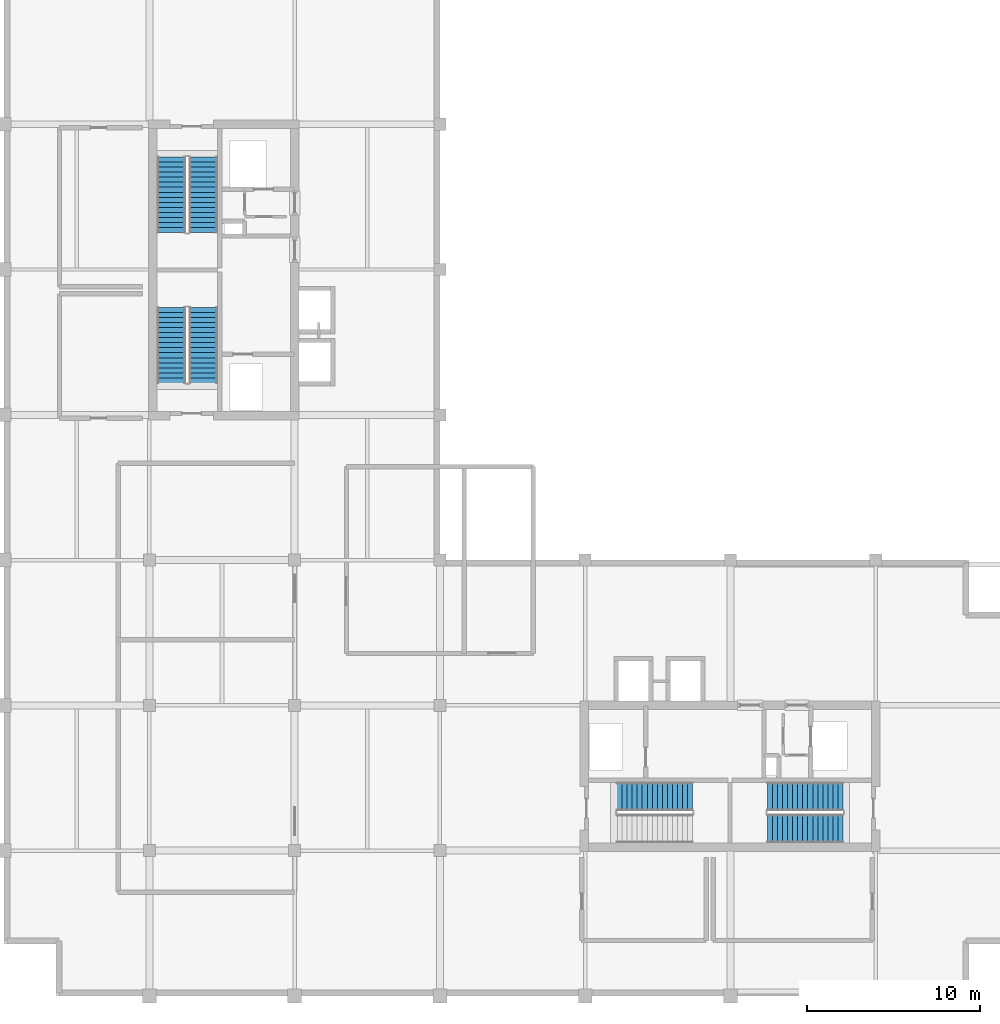
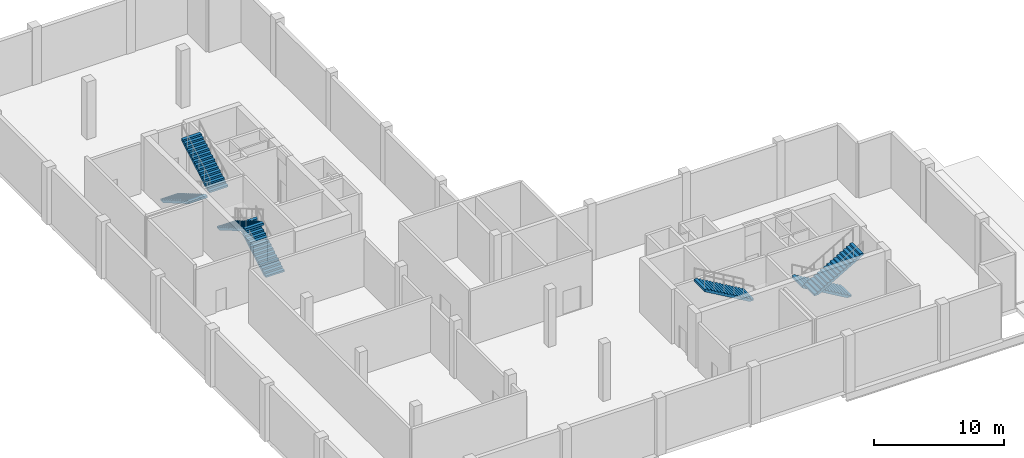
# One storey, part 5 of 7: 7 stair flights, 4 elements without a shape of their own.
"""IFC4 building model written with IfcOpenShell, lengths in metres."""

from ifc_helpers import new_model, si_unit, direction, frame, origin, place, context, subcontext, project, spatial, polyline, outline, extrude, material, type_object, element, aggregate, save


model = new_model("IFC4")

# Units and contexts
model_context = context("Model", 3, precision=1e-05, world=origin(), true_north=direction((0.0, 1.0)))
body_context = subcontext(model_context, "Body", "Model", "MODEL_VIEW")
ifc_project = project(units=[si_unit("LENGTHUNIT", "METRE"), si_unit("AREAUNIT", "SQUARE_METRE"), si_unit("VOLUMEUNIT", "CUBIC_METRE"), si_unit("PLANEANGLEUNIT", "RADIAN"), si_unit("MASSUNIT", "GRAM", prefix="KILO")], contexts=[model_context])

# Site, building, storey
site_placement = place(None, origin())
site = spatial("IfcSite", under=ifc_project, at=site_placement, CompositionType="ELEMENT")
building_placement = place(site_placement, origin())
building = spatial("IfcBuilding", under=site, at=building_placement, Name="Koriwani Terraces Tower", CompositionType="ELEMENT")
storey_placement = place(building_placement, frame((0.0, 0.0, 368.60009765625)))
storey = spatial("IfcBuildingStorey", under=building, at=storey_placement, Name="L91", CompositionType="ELEMENT", Elevation=368.60009765625)

# Stair, stair flights
ifc_material = material(Name="Concrete C40/50", Category="concrete")
stair_type = type_object("IfcStairType", Name="STAIR_CORE_DOGLEG_1650", PredefinedType="TWO_STRAIGHT_RUN_STAIR", material=ifc_material)
stair_1_placement = place(storey_placement, origin())
stair_1 = element("IfcStair", 1, at=stair_1_placement, inside=storey, type_object=stair_type, Name="L91 West Core Exit Stair 1", PredefinedType="HALF_TURN_STAIR")
stair_flight_type = type_object("IfcStairFlightType", Name="STAIR_FLIGHT_RC_1650", PredefinedType="STRAIGHT", material=ifc_material)
stair_flight_1_placement = place(storey_placement, frame((19.925048828125, 43.85009765625, 0.0), z_axis=(0.0, 0.0, 1.0), x_axis=(0.0, 1.0, 0.0)))
stair_flight_1 = element("IfcStairFlight", 2, at=stair_flight_1_placement, type_object=stair_flight_type, Name="ST-W1 flight 1", NumberOfRisers=16, NumberOfTreads=15, PredefinedType="STRAIGHT", RiserHeight=0.16875, TreadLength=0.29, context=body_context, shape_type="SweptSolid", body=[
    extrude(outline(polyline([(0.0, 0.0), (0.0, 0.168701171875), (0.2900390625, 0.168701171875), (0.2900390625, 0.33740234375), (0.580078125, 0.33740234375), (0.580078125, 0.50634765625), (0.8701171875, 0.50634765625), (0.8701171875, 0.675048828125), (1.159912109375, 0.675048828125), (1.159912109375, 0.84375), (1.449951171875, 0.84375), (1.449951171875, 1.012451171875), (1.739990234375, 1.012451171875), (1.739990234375, 1.18115234375), (2.030029296875, 1.18115234375), (2.030029296875, 1.35009765625), (2.320068359375, 1.35009765625), (2.320068359375, 1.518798828125), (2.610107421875, 1.518798828125), (2.610107421875, 1.6875), (2.89990234375, 1.6875), (2.89990234375, 1.856201171875), (3.18994140625, 1.856201171875), (3.18994140625, 2.02490234375), (3.47998046875, 2.02490234375), (3.47998046875, 2.19384765625), (3.77001953125, 2.19384765625), (3.77001953125, 2.362548828125), (4.06005859375, 2.362548828125), (4.06005859375, 2.53125), (4.35009765625, 2.53125), (4.35009765625, 2.699951171875), (4.35009765625, 2.322998046875), (0.357666015625, 0.0), (0.0, 0.0)])), frame((0.0, 0.824951171875, 0.0), z_axis=(0.0, -1.0, 0.0), x_axis=(1.0, 0.0, 0.0)), (0.0, 0.0, 1.0), 1.64990234375),
])
stair_flight_2_placement = place(storey_placement, frame((18.074951171875, 48.199951171875, 2.699951171875), z_axis=(0.0, 0.0, 1.0), x_axis=(0.0, -1.0, 0.0)))
stair_flight_2 = element("IfcStairFlight", 3, at=stair_flight_2_placement, type_object=stair_flight_type, Name="ST-W1 flight 2", NumberOfRisers=16, NumberOfTreads=15, PredefinedType="STRAIGHT", RiserHeight=0.16875, TreadLength=0.29, context=body_context, shape_type="SweptSolid", body=[
    extrude(outline(polyline([(0.0, 0.0), (0.0, 0.168701171875), (0.2900390625, 0.168701171875), (0.2900390625, 0.33740234375), (0.580078125, 0.33740234375), (0.580078125, 0.50634765625), (0.8701171875, 0.50634765625), (0.8701171875, 0.675048828125), (1.159912109375, 0.675048828125), (1.159912109375, 0.84375), (1.449951171875, 0.84375), (1.449951171875, 1.012451171875), (1.739990234375, 1.012451171875), (1.739990234375, 1.18115234375), (2.030029296875, 1.18115234375), (2.030029296875, 1.35009765625), (2.320068359375, 1.35009765625), (2.320068359375, 1.518798828125), (2.610107421875, 1.518798828125), (2.610107421875, 1.6875), (2.89990234375, 1.6875), (2.89990234375, 1.856201171875), (3.18994140625, 1.856201171875), (3.18994140625, 2.02490234375), (3.47998046875, 2.02490234375), (3.47998046875, 2.19384765625), (3.77001953125, 2.19384765625), (3.77001953125, 2.362548828125), (4.06005859375, 2.362548828125), (4.06005859375, 2.53125), (4.35009765625, 2.53125), (4.35009765625, 2.699951171875), (4.35009765625, 2.322998046875), (0.357666015625, 0.0), (0.0, 0.0)])), frame((0.0, 0.824951171875, 0.0), z_axis=(0.0, -1.0, 0.0), x_axis=(1.0, 0.0, 0.0)), (0.0, 0.0, 1.0), 1.64990234375),
])
aggregate(stair_1, [stair_flight_1, stair_flight_2])

stair_2_placement = place(storey_placement, origin())
stair_2 = element("IfcStair", 4, at=stair_2_placement, inside=storey, type_object=stair_type, Name="L91 West Core Exit Stair 2", PredefinedType="HALF_TURN_STAIR")
stair_flight_3_placement = place(storey_placement, frame((18.074951171875, 56.89990234375, 0.0), z_axis=(0.0, 0.0, 1.0), x_axis=(0.0, -1.0, 0.0)))
stair_flight_3 = element("IfcStairFlight", 5, at=stair_flight_3_placement, type_object=stair_flight_type, Name="ST-W2 flight 1", NumberOfRisers=16, NumberOfTreads=15, PredefinedType="STRAIGHT", RiserHeight=0.16875, TreadLength=0.29, context=body_context, shape_type="SweptSolid", body=[
    extrude(outline(polyline([(0.0, 0.0), (0.0, 0.168701171875), (0.2900390625, 0.168701171875), (0.2900390625, 0.33740234375), (0.580078125, 0.33740234375), (0.580078125, 0.50634765625), (0.8701171875, 0.50634765625), (0.8701171875, 0.675048828125), (1.159912109375, 0.675048828125), (1.159912109375, 0.84375), (1.449951171875, 0.84375), (1.449951171875, 1.012451171875), (1.739990234375, 1.012451171875), (1.739990234375, 1.18115234375), (2.030029296875, 1.18115234375), (2.030029296875, 1.35009765625), (2.320068359375, 1.35009765625), (2.320068359375, 1.518798828125), (2.610107421875, 1.518798828125), (2.610107421875, 1.6875), (2.89990234375, 1.6875), (2.89990234375, 1.856201171875), (3.18994140625, 1.856201171875), (3.18994140625, 2.02490234375), (3.47998046875, 2.02490234375), (3.47998046875, 2.19384765625), (3.77001953125, 2.19384765625), (3.77001953125, 2.362548828125), (4.06005859375, 2.362548828125), (4.06005859375, 2.53125), (4.35009765625, 2.53125), (4.35009765625, 2.699951171875), (4.35009765625, 2.322998046875), (0.357666015625, 0.0), (0.0, 0.0)])), frame((0.0, 0.824951171875, 0.0), z_axis=(0.0, -1.0, 0.0), x_axis=(1.0, 0.0, 0.0)), (0.0, 0.0, 1.0), 1.64990234375),
])
stair_flight_4_placement = place(storey_placement, frame((19.925048828125, 52.550048828125, 2.699951171875), z_axis=(0.0, 0.0, 1.0), x_axis=(0.0, 1.0, 0.0)))
stair_flight_4 = element("IfcStairFlight", 6, at=stair_flight_4_placement, type_object=stair_flight_type, Name="ST-W2 flight 2", NumberOfRisers=16, NumberOfTreads=15, PredefinedType="STRAIGHT", RiserHeight=0.16875, TreadLength=0.29, context=body_context, shape_type="SweptSolid", body=[
    extrude(outline(polyline([(0.0, 0.0), (0.0, 0.168701171875), (0.2900390625, 0.168701171875), (0.2900390625, 0.33740234375), (0.580078125, 0.33740234375), (0.580078125, 0.50634765625), (0.8701171875, 0.50634765625), (0.8701171875, 0.675048828125), (1.159912109375, 0.675048828125), (1.159912109375, 0.84375), (1.449951171875, 0.84375), (1.449951171875, 1.012451171875), (1.739990234375, 1.012451171875), (1.739990234375, 1.18115234375), (2.030029296875, 1.18115234375), (2.030029296875, 1.35009765625), (2.320068359375, 1.35009765625), (2.320068359375, 1.518798828125), (2.610107421875, 1.518798828125), (2.610107421875, 1.6875), (2.89990234375, 1.6875), (2.89990234375, 1.856201171875), (3.18994140625, 1.856201171875), (3.18994140625, 2.02490234375), (3.47998046875, 2.02490234375), (3.47998046875, 2.19384765625), (3.77001953125, 2.19384765625), (3.77001953125, 2.362548828125), (4.06005859375, 2.362548828125), (4.06005859375, 2.53125), (4.35009765625, 2.53125), (4.35009765625, 2.699951171875), (4.35009765625, 2.322998046875), (0.357666015625, 0.0), (0.0, 0.0)])), frame((0.0, 0.824951171875, 0.0), z_axis=(0.0, -1.0, 0.0), x_axis=(1.0, 0.0, 0.0)), (0.0, 0.0, 1.0), 1.64990234375),
])
aggregate(stair_2, [stair_flight_3, stair_flight_4])

# Stair, stair flight
stair_3_placement = place(storey_placement, origin())
stair_3 = element("IfcStair", 7, at=stair_3_placement, inside=storey, type_object=stair_type, Name="L91 East Core Exit Stair 1", PredefinedType="HALF_TURN_STAIR")
stair_flight_5_placement = place(storey_placement, frame((48.199951171875, 19.925048828125, 2.699951171875), z_axis=(0.0, 0.0, 1.0), x_axis=(-1.0, 0.0, 0.0)))
stair_flight_5 = element("IfcStairFlight", 8, at=stair_flight_5_placement, type_object=stair_flight_type, Name="ST-E1 flight 2", NumberOfRisers=16, NumberOfTreads=15, PredefinedType="STRAIGHT", RiserHeight=0.16875, TreadLength=0.29, context=body_context, shape_type="SweptSolid", body=[
    extrude(outline(polyline([(0.0, 0.0), (0.0, 0.168701171875), (0.2900390625, 0.168701171875), (0.2900390625, 0.33740234375), (0.580078125, 0.33740234375), (0.580078125, 0.50634765625), (0.8701171875, 0.50634765625), (0.8701171875, 0.675048828125), (1.159912109375, 0.675048828125), (1.159912109375, 0.84375), (1.449951171875, 0.84375), (1.449951171875, 1.012451171875), (1.739990234375, 1.012451171875), (1.739990234375, 1.18115234375), (2.030029296875, 1.18115234375), (2.030029296875, 1.35009765625), (2.320068359375, 1.35009765625), (2.320068359375, 1.518798828125), (2.610107421875, 1.518798828125), (2.610107421875, 1.6875), (2.89990234375, 1.6875), (2.89990234375, 1.856201171875), (3.18994140625, 1.856201171875), (3.18994140625, 2.02490234375), (3.47998046875, 2.02490234375), (3.47998046875, 2.19384765625), (3.77001953125, 2.19384765625), (3.77001953125, 2.362548828125), (4.06005859375, 2.362548828125), (4.06005859375, 2.53125), (4.35009765625, 2.53125), (4.35009765625, 2.699951171875), (4.35009765625, 2.322998046875), (0.357666015625, 0.0), (0.0, 0.0)])), frame((0.0, 0.824951171875, 0.0), z_axis=(0.0, -1.0, 0.0), x_axis=(1.0, 0.0, 0.0)), (0.0, 0.0, 1.0), 1.64990234375),
])
aggregate(stair_3, [stair_flight_5])

# Stair, stair flights
stair_4_placement = place(storey_placement, origin())
stair_4 = element("IfcStair", 9, at=stair_4_placement, inside=storey, type_object=stair_type, Name="L91 East Core Exit Stair 2", PredefinedType="HALF_TURN_STAIR")
stair_flight_6_placement = place(storey_placement, frame((56.89990234375, 19.925048828125, 0.0), z_axis=(0.0, 0.0, 1.0), x_axis=(-1.0, 0.0, 0.0)))
stair_flight_6 = element("IfcStairFlight", 10, at=stair_flight_6_placement, type_object=stair_flight_type, Name="ST-E2 flight 1", NumberOfRisers=16, NumberOfTreads=15, PredefinedType="STRAIGHT", RiserHeight=0.16875, TreadLength=0.29, context=body_context, shape_type="SweptSolid", body=[
    extrude(outline(polyline([(0.0, 0.0), (0.0, 0.168701171875), (0.2900390625, 0.168701171875), (0.2900390625, 0.33740234375), (0.580078125, 0.33740234375), (0.580078125, 0.50634765625), (0.8701171875, 0.50634765625), (0.8701171875, 0.675048828125), (1.159912109375, 0.675048828125), (1.159912109375, 0.84375), (1.449951171875, 0.84375), (1.449951171875, 1.012451171875), (1.739990234375, 1.012451171875), (1.739990234375, 1.18115234375), (2.030029296875, 1.18115234375), (2.030029296875, 1.35009765625), (2.320068359375, 1.35009765625), (2.320068359375, 1.518798828125), (2.610107421875, 1.518798828125), (2.610107421875, 1.6875), (2.89990234375, 1.6875), (2.89990234375, 1.856201171875), (3.18994140625, 1.856201171875), (3.18994140625, 2.02490234375), (3.47998046875, 2.02490234375), (3.47998046875, 2.19384765625), (3.77001953125, 2.19384765625), (3.77001953125, 2.362548828125), (4.06005859375, 2.362548828125), (4.06005859375, 2.53125), (4.35009765625, 2.53125), (4.35009765625, 2.699951171875), (4.35009765625, 2.322998046875), (0.357666015625, 0.0), (0.0, 0.0)])), frame((0.0, 0.824951171875, 0.0), z_axis=(0.0, -1.0, 0.0), x_axis=(1.0, 0.0, 0.0)), (0.0, 0.0, 1.0), 1.64990234375),
])
stair_flight_7_placement = place(storey_placement, frame((52.550048828125, 18.074951171875, 2.699951171875), z_axis=(0.0, 0.0, 1.0), x_axis=(1.0, 0.0, 0.0)))
stair_flight_7 = element("IfcStairFlight", 11, at=stair_flight_7_placement, type_object=stair_flight_type, Name="ST-E2 flight 2", NumberOfRisers=16, NumberOfTreads=15, PredefinedType="STRAIGHT", RiserHeight=0.16875, TreadLength=0.29, context=body_context, shape_type="SweptSolid", body=[
    extrude(outline(polyline([(0.0, 0.0), (0.0, 0.168701171875), (0.2900390625, 0.168701171875), (0.2900390625, 0.33740234375), (0.580078125, 0.33740234375), (0.580078125, 0.50634765625), (0.8701171875, 0.50634765625), (0.8701171875, 0.675048828125), (1.159912109375, 0.675048828125), (1.159912109375, 0.84375), (1.449951171875, 0.84375), (1.449951171875, 1.012451171875), (1.739990234375, 1.012451171875), (1.739990234375, 1.18115234375), (2.030029296875, 1.18115234375), (2.030029296875, 1.35009765625), (2.320068359375, 1.35009765625), (2.320068359375, 1.518798828125), (2.610107421875, 1.518798828125), (2.610107421875, 1.6875), (2.89990234375, 1.6875), (2.89990234375, 1.856201171875), (3.18994140625, 1.856201171875), (3.18994140625, 2.02490234375), (3.47998046875, 2.02490234375), (3.47998046875, 2.19384765625), (3.77001953125, 2.19384765625), (3.77001953125, 2.362548828125), (4.06005859375, 2.362548828125), (4.06005859375, 2.53125), (4.35009765625, 2.53125), (4.35009765625, 2.699951171875), (4.35009765625, 2.322998046875), (0.357666015625, 0.0), (0.0, 0.0)])), frame((0.0, 0.824951171875, 0.0), z_axis=(0.0, -1.0, 0.0), x_axis=(1.0, 0.0, 0.0)), (0.0, 0.0, 1.0), 1.64990234375),
])
aggregate(stair_4, [stair_flight_6, stair_flight_7])

save(model, "model.ifc")
